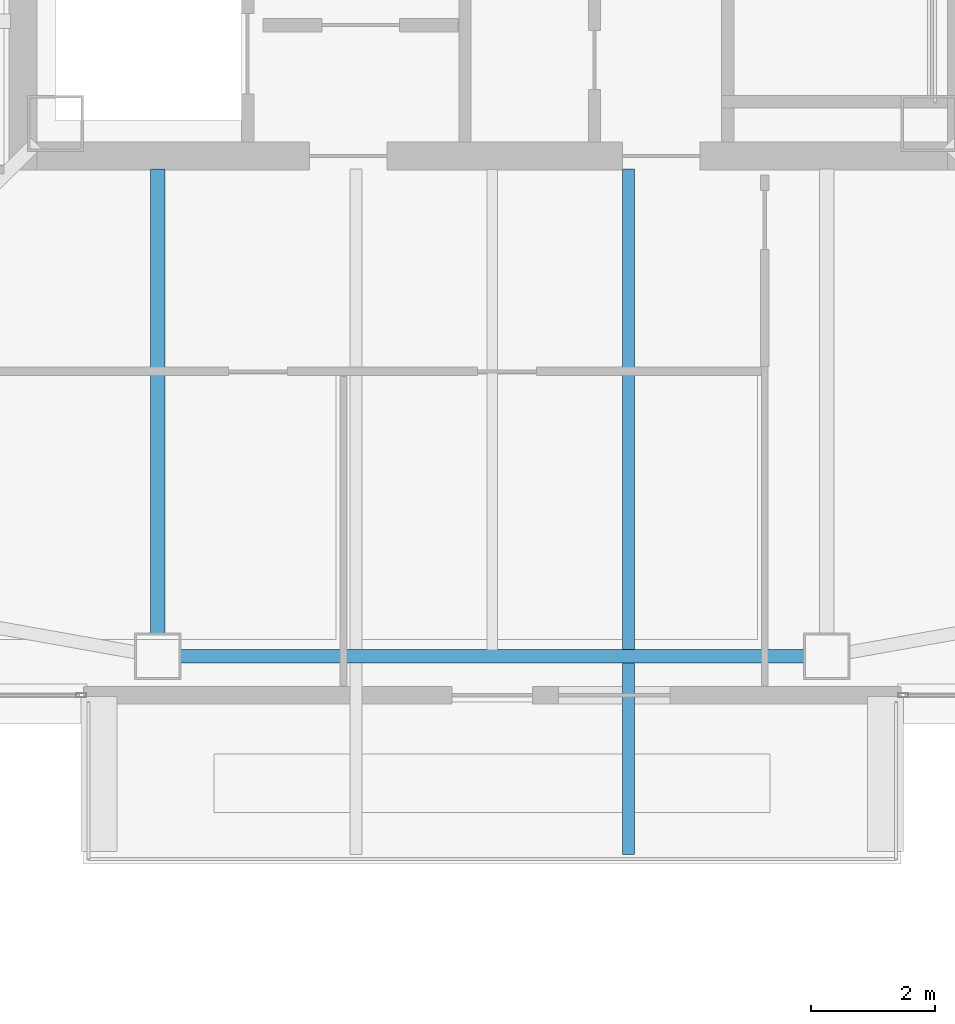
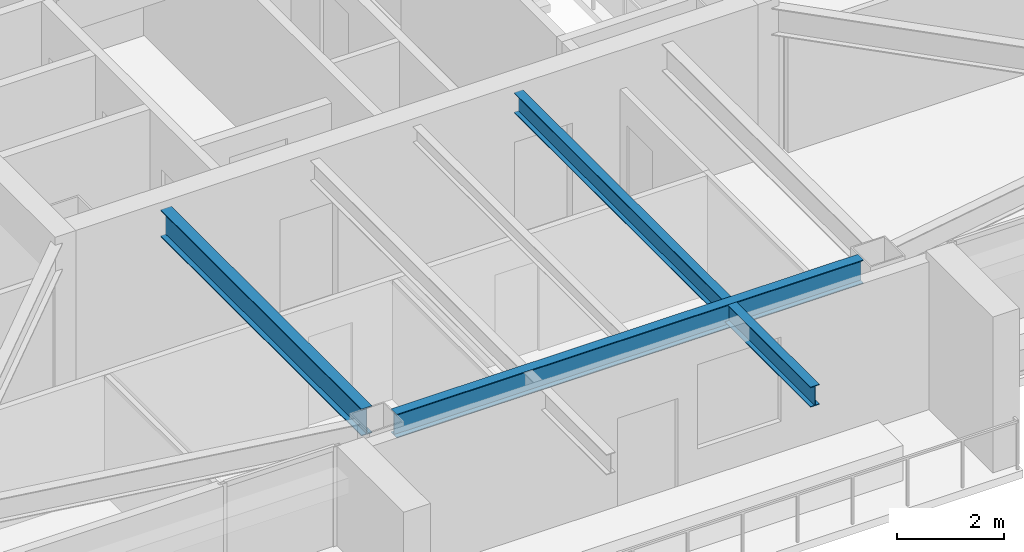
# One storey, part 6 of 39: 3 beams.
"""IFC4 building model written with IfcOpenShell, lengths in metres."""

from ifc_helpers import new_model, si_unit, direction, frame, origin, origin_2d, place, context, subcontext, project, spatial, i_section, extrude, material, material_profile, profile_set, type_object, element, save


model = new_model("IFC4")

# Units and contexts
model_context = context("Model", 3, precision=1e-05, world=origin(), true_north=direction((0.0, 1.0)))
body_context = subcontext(model_context, "Body", "Model", "MODEL_VIEW")
ifc_project = project(units=[si_unit("LENGTHUNIT", "METRE"), si_unit("AREAUNIT", "SQUARE_METRE"), si_unit("VOLUMEUNIT", "CUBIC_METRE"), si_unit("PLANEANGLEUNIT", "RADIAN"), si_unit("MASSUNIT", "GRAM", prefix="KILO")], contexts=[model_context])

# Site, building, storey
site_placement = place(None, origin())
site = spatial("IfcSite", under=ifc_project, at=site_placement, CompositionType="ELEMENT")
building_placement = place(site_placement, origin())
building = spatial("IfcBuilding", under=site, at=building_placement, Name="Tashvorn Skyway Center", CompositionType="ELEMENT")
storey_placement = place(building_placement, frame((0.0, 0.0, 225.5)))
storey = spatial("IfcBuildingStorey", under=building, at=storey_placement, Name="L61", CompositionType="ELEMENT", Elevation=225.5)

# Beams
ifc_material = material(Name="Steel ASTM A992 Grade 50", Category="steel")
ifc_material_profile_1 = material_profile(ifc_material, i_section(OverallWidth=0.22998046875, OverallDepth=0.616943359375, WebThickness=0.01318359375, FlangeThickness=0.022216796875, at=origin_2d()), Name="W24X94")
ifc_profile_set_1 = profile_set([ifc_material_profile_1], Name="Steel ASTM A992 Grade 50")
beam_type_1 = type_object("IfcBeamType", Name="BM-BEAM-W24X94", PredefinedType="BEAM", material=ifc_profile_set_1)
beam_1_placement = place(storey_placement, frame((36.60009765625, 16.719970703125, 3.0615234375), z_axis=(0.0, 1.0, 0.0), x_axis=(-1.0, 0.0, 0.0)))
element("IfcBeam", 1, at=beam_1_placement, inside=storey, type_object=beam_type_1, Name="Tower 1 L61 Primary Floor Girder FC-S1", PredefinedType="BEAM", context=body_context, shape_type="SweptSolid", body=[
    extrude(i_section(OverallWidth=0.22998046875, OverallDepth=0.616943359375, WebThickness=0.01318359375, FlangeThickness=0.022216796875, at=origin_2d()), origin(), (0.0, 0.0, 1.0), 7.5),
])
ifc_material_profile_2 = material_profile(ifc_material, i_section(OverallWidth=0.19091796875, OverallDepth=0.4599609375, WebThickness=0.010009765625, FlangeThickness=0.01611328125, at=origin_2d()), Name="W18X55")
ifc_profile_set_2 = profile_set([ifc_material_profile_2], Name="Steel ASTM A992 Grade 50")
beam_type_2 = type_object("IfcBeamType", Name="BM-JOIST-W18X55", PredefinedType="JOIST", material=ifc_profile_set_2)
beam_2_placement = place(storey_placement, frame((44.199951171875, 24.219970703125, 3.139892578125), z_axis=(0.0, -1.0, 0.0), x_axis=(1.0, 0.0, 0.0)))
element("IfcBeam", 2, at=beam_2_placement, inside=storey, type_object=beam_type_2, Name="Tower 1 L62 Terrace Cantilever Outlooker 2", PredefinedType="JOIST", context=body_context, shape_type="SweptSolid", body=[
    extrude(i_section(OverallWidth=0.19091796875, OverallDepth=0.4599609375, WebThickness=0.010009765625, FlangeThickness=0.01611328125, at=origin_2d()), origin(), (0.0, 0.0, 1.0), 11.070068359375),
])
ifc_material_profile_3 = material_profile(ifc_material, i_section(OverallWidth=0.2109375, OverallDepth=0.5390625, WebThickness=0.01171875, FlangeThickness=0.018798828125, at=origin_2d()), Name="W21X73")
ifc_profile_set_3 = profile_set([ifc_material_profile_3], Name="Steel ASTM A992 Grade 50")
beam_type_3 = type_object("IfcBeamType", Name="BM-SPANDREL-W21X73", PredefinedType="SPANDREL", material=ifc_profile_set_3)
beam_3_placement = place(storey_placement, frame((36.969970703125, 16.35009765625, 3.1005859375), z_axis=(1.0, 0.0, 0.0), x_axis=(0.0, 1.0, 0.0)))
element("IfcBeam", 3, at=beam_3_placement, inside=storey, type_object=beam_type_3, Name="Tower 1 L61 Spandrel Beam 02", PredefinedType="SPANDREL", context=body_context, shape_type="SweptSolid", body=[
    extrude(i_section(OverallWidth=0.2109375, OverallDepth=0.5390625, WebThickness=0.01171875, FlangeThickness=0.018798828125, at=origin_2d()), origin(), (0.0, 0.0, 1.0), 10.06005859375),
])

save(model, "model.ifc")
